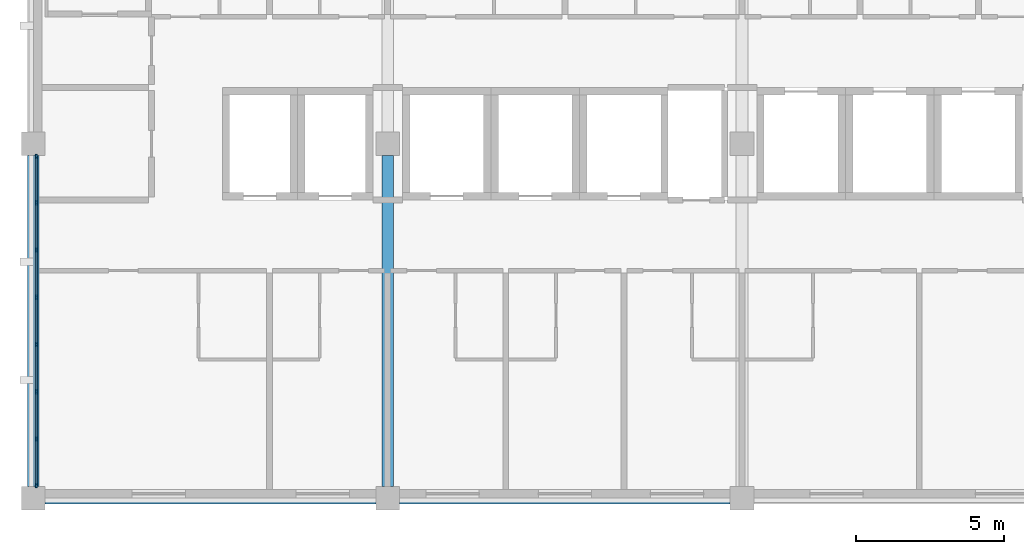
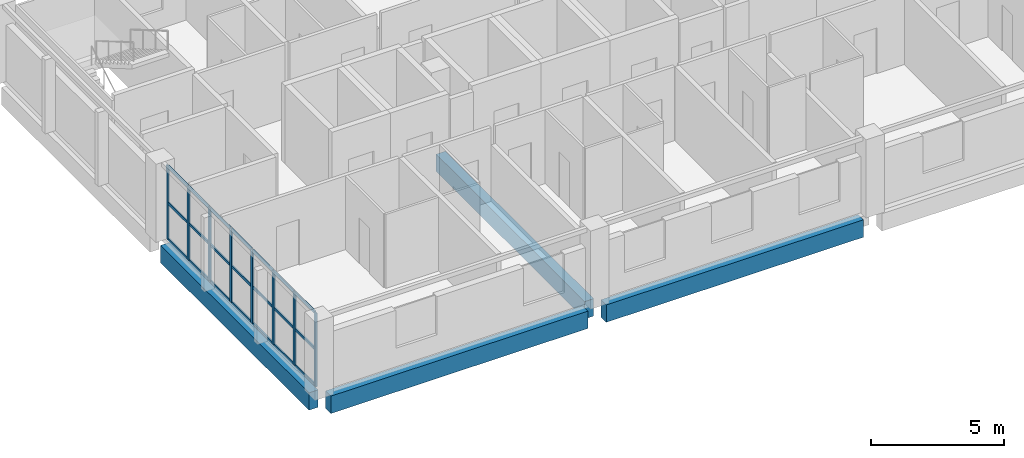
# One storey, part 2 of 11: 29 members, 4 beams, 1 element without a shape of its own.
"""IFC4 building model written with IfcOpenShell, lengths in metres."""

from ifc_helpers import new_model, si_unit, direction, frame, origin, origin_2d, place, context, subcontext, project, spatial, rectangle, extrude, material, layer, layer_set, material_profile, profile_set, type_object, element, aggregate, save


model = new_model("IFC4")

# Units and contexts
model_context = context("Model", 3, precision=1e-05, world=origin(), true_north=direction((0.0, 1.0)))
body_context = subcontext(model_context, "Body", "Model", "MODEL_VIEW")
ifc_project = project(units=[si_unit("LENGTHUNIT", "METRE"), si_unit("AREAUNIT", "SQUARE_METRE"), si_unit("VOLUMEUNIT", "CUBIC_METRE"), si_unit("PLANEANGLEUNIT", "RADIAN"), si_unit("MASSUNIT", "GRAM", prefix="KILO")], contexts=[model_context])

# Site, building, storey
site_placement = place(None, origin())
site = spatial("IfcSite", under=ifc_project, at=site_placement, CompositionType="ELEMENT")
building_placement = place(site_placement, origin())
building = spatial("IfcBuilding", under=site, at=building_placement, Name="Lilac Gate Convention Centre", CompositionType="ELEMENT")
storey_placement = place(building_placement, frame((0.0, 0.0, 42.60009765625)))
storey = spatial("IfcBuildingStorey", under=building, at=storey_placement, Name="L10", CompositionType="ELEMENT", Elevation=42.60009765625)

# Curtain wall, members
ifc_material_1 = material(Name="Aluminium framed double glazing", Category="aluminium")
ifc_layer = layer(ifc_material_1, 0.199951171875)
ifc_layer_set = layer_set([ifc_layer], Name="Aluminium framed double glazing")
curtain_wall_type = type_object("IfcCurtainWallType", Name="Unitised curtain wall 1500", PredefinedType="NOTDEFINED", material=ifc_layer_set)
curtain_wall_placement = place(storey_placement, origin())
curtain_wall = element("IfcCurtainWall", 1, at=curtain_wall_placement, inside=storey, type_object=curtain_wall_type, Name="Curtain wall W L10 2", PredefinedType="NOTDEFINED")
ifc_material_2 = material(Name="Aluminium alloy 6063", Category="aluminium")
ifc_material_profile_1 = material_profile(ifc_material_2, rectangle(XDim=0.06005859375, YDim=0.159912109375, at=origin_2d()), Name="Curtain wall mullion 60 x 160")
ifc_profile_set_1 = profile_set([ifc_material_profile_1], Name="Aluminium alloy 6063")
member_type_1 = type_object("IfcMemberType", Name="Curtain wall mullion 60 x 160", PredefinedType="MULLION", material=ifc_profile_set_1)
member_1_placement = place(storey_placement, frame((42.10009765625, 233.570068359375, 0.0), z_axis=(0.0, 0.0, 1.0), x_axis=(1.0, 0.0, 0.0)))
member_1 = element("IfcMember", 2, at=member_1_placement, type_object=member_type_1, Name="CW mullion 1", PredefinedType="MULLION", context=body_context, shape_type="SweptSolid", body=[
    extrude(rectangle(XDim=0.06005859375, YDim=0.159912109375, at=origin_2d()), origin(), (0.0, 0.0, 1.0), 3.39990234375),
])
member_2_placement = place(storey_placement, frame((42.10009765625, 232.0, 0.0), z_axis=(0.0, 0.0, 1.0), x_axis=(1.0, 0.0, 0.0)))
member_2 = element("IfcMember", 3, at=member_2_placement, type_object=member_type_1, Name="CW mullion 2", PredefinedType="MULLION", context=body_context, shape_type="SweptSolid", body=[
    extrude(rectangle(XDim=0.06005859375, YDim=0.159912109375, at=origin_2d()), origin(), (0.0, 0.0, 1.0), 3.39990234375),
])
member_3_placement = place(storey_placement, frame((42.10009765625, 230.400146484375, 0.0), z_axis=(0.0, 0.0, 1.0), x_axis=(1.0, 0.0, 0.0)))
member_3 = element("IfcMember", 4, at=member_3_placement, type_object=member_type_1, Name="CW mullion 3", PredefinedType="MULLION", context=body_context, shape_type="SweptSolid", body=[
    extrude(rectangle(XDim=0.06005859375, YDim=0.159912109375, at=origin_2d()), origin(), (0.0, 0.0, 1.0), 3.39990234375),
])
member_4_placement = place(storey_placement, frame((42.10009765625, 228.800048828125, 0.0), z_axis=(0.0, 0.0, 1.0), x_axis=(1.0, 0.0, 0.0)))
member_4 = element("IfcMember", 5, at=member_4_placement, type_object=member_type_1, Name="CW mullion 4", PredefinedType="MULLION", context=body_context, shape_type="SweptSolid", body=[
    extrude(rectangle(XDim=0.06005859375, YDim=0.159912109375, at=origin_2d()), origin(), (0.0, 0.0, 1.0), 3.39990234375),
])
member_5_placement = place(storey_placement, frame((42.10009765625, 227.199951171875, 0.0), z_axis=(0.0, 0.0, 1.0), x_axis=(1.0, 0.0, 0.0)))
member_5 = element("IfcMember", 6, at=member_5_placement, type_object=member_type_1, Name="CW mullion 5", PredefinedType="MULLION", context=body_context, shape_type="SweptSolid", body=[
    extrude(rectangle(XDim=0.06005859375, YDim=0.159912109375, at=origin_2d()), origin(), (0.0, 0.0, 1.0), 3.39990234375),
])
member_6_placement = place(storey_placement, frame((42.10009765625, 225.599853515625, 0.0), z_axis=(0.0, 0.0, 1.0), x_axis=(1.0, 0.0, 0.0)))
member_6 = element("IfcMember", 7, at=member_6_placement, type_object=member_type_1, Name="CW mullion 6", PredefinedType="MULLION", context=body_context, shape_type="SweptSolid", body=[
    extrude(rectangle(XDim=0.06005859375, YDim=0.159912109375, at=origin_2d()), origin(), (0.0, 0.0, 1.0), 3.39990234375),
])
member_7_placement = place(storey_placement, frame((42.10009765625, 224.0, 0.0), z_axis=(0.0, 0.0, 1.0), x_axis=(1.0, 0.0, 0.0)))
member_7 = element("IfcMember", 8, at=member_7_placement, type_object=member_type_1, Name="CW mullion 7", PredefinedType="MULLION", context=body_context, shape_type="SweptSolid", body=[
    extrude(rectangle(XDim=0.06005859375, YDim=0.159912109375, at=origin_2d()), origin(), (0.0, 0.0, 1.0), 3.39990234375),
])
member_8_placement = place(storey_placement, frame((42.10009765625, 222.429931640625, 0.0), z_axis=(0.0, 0.0, 1.0), x_axis=(1.0, 0.0, 0.0)))
member_8 = element("IfcMember", 9, at=member_8_placement, type_object=member_type_1, Name="CW mullion 8", PredefinedType="MULLION", context=body_context, shape_type="SweptSolid", body=[
    extrude(rectangle(XDim=0.06005859375, YDim=0.159912109375, at=origin_2d()), origin(), (0.0, 0.0, 1.0), 3.39990234375),
])
ifc_material_profile_2 = material_profile(ifc_material_2, rectangle(XDim=0.06005859375, YDim=0.1201171875, at=origin_2d()), Name="Curtain wall transom 60 x 120")
ifc_profile_set_2 = profile_set([ifc_material_profile_2], Name="Aluminium alloy 6063")
member_type_2 = type_object("IfcMemberType", Name="Curtain wall transom 60 x 120", PredefinedType="USERDEFINED", material=ifc_profile_set_2)
member_9_placement = place(storey_placement, frame((42.10009765625, 233.5400390625, 0.030029296875), z_axis=(0.0, -1.0, 0.0), x_axis=(1.0, 0.0, 0.0)))
member_9 = element("IfcMember", 10, at=member_9_placement, type_object=member_type_2, Name="CW transom 1.1", ObjectType="TRANSOM", PredefinedType="USERDEFINED", context=body_context, shape_type="SweptSolid", body=[
    extrude(rectangle(XDim=0.06005859375, YDim=0.1201171875, at=origin_2d()), origin(), (0.0, 0.0, 1.0), 1.510009765625),
])
member_10_placement = place(storey_placement, frame((42.10009765625, 233.5400390625, 1.699951171875), z_axis=(0.0, -1.0, 0.0), x_axis=(1.0, 0.0, 0.0)))
member_10 = element("IfcMember", 11, at=member_10_placement, type_object=member_type_2, Name="CW transom 1.2", ObjectType="TRANSOM", PredefinedType="USERDEFINED", context=body_context, shape_type="SweptSolid", body=[
    extrude(rectangle(XDim=0.06005859375, YDim=0.1201171875, at=origin_2d()), origin(), (0.0, 0.0, 1.0), 1.510009765625),
])
member_11_placement = place(storey_placement, frame((42.10009765625, 233.5400390625, 3.369873046875), z_axis=(0.0, -1.0, 0.0), x_axis=(1.0, 0.0, 0.0)))
member_11 = element("IfcMember", 12, at=member_11_placement, type_object=member_type_2, Name="CW transom 1.3", ObjectType="TRANSOM", PredefinedType="USERDEFINED", context=body_context, shape_type="SweptSolid", body=[
    extrude(rectangle(XDim=0.06005859375, YDim=0.1201171875, at=origin_2d()), origin(), (0.0, 0.0, 1.0), 1.510009765625),
])
member_12_placement = place(storey_placement, frame((42.10009765625, 231.969970703125, 0.030029296875), z_axis=(0.0, -1.0, 0.0), x_axis=(1.0, 0.0, 0.0)))
member_12 = element("IfcMember", 13, at=member_12_placement, type_object=member_type_2, Name="CW transom 2.1", ObjectType="TRANSOM", PredefinedType="USERDEFINED", context=body_context, shape_type="SweptSolid", body=[
    extrude(rectangle(XDim=0.06005859375, YDim=0.1201171875, at=origin_2d()), origin(), (0.0, 0.0, 1.0), 1.5400390625),
])
member_13_placement = place(storey_placement, frame((42.10009765625, 231.969970703125, 1.699951171875), z_axis=(0.0, -1.0, 0.0), x_axis=(1.0, 0.0, 0.0)))
member_13 = element("IfcMember", 14, at=member_13_placement, type_object=member_type_2, Name="CW transom 2.2", ObjectType="TRANSOM", PredefinedType="USERDEFINED", context=body_context, shape_type="SweptSolid", body=[
    extrude(rectangle(XDim=0.06005859375, YDim=0.1201171875, at=origin_2d()), origin(), (0.0, 0.0, 1.0), 1.5400390625),
])
member_14_placement = place(storey_placement, frame((42.10009765625, 231.969970703125, 3.369873046875), z_axis=(0.0, -1.0, 0.0), x_axis=(1.0, 0.0, 0.0)))
member_14 = element("IfcMember", 15, at=member_14_placement, type_object=member_type_2, Name="CW transom 2.3", ObjectType="TRANSOM", PredefinedType="USERDEFINED", context=body_context, shape_type="SweptSolid", body=[
    extrude(rectangle(XDim=0.06005859375, YDim=0.1201171875, at=origin_2d()), origin(), (0.0, 0.0, 1.0), 1.5400390625),
])
member_15_placement = place(storey_placement, frame((42.10009765625, 230.3701171875, 0.030029296875), z_axis=(0.0, -1.0, 0.0), x_axis=(1.0, 0.0, 0.0)))
member_15 = element("IfcMember", 16, at=member_15_placement, type_object=member_type_2, Name="CW transom 3.1", ObjectType="TRANSOM", PredefinedType="USERDEFINED", context=body_context, shape_type="SweptSolid", body=[
    extrude(rectangle(XDim=0.06005859375, YDim=0.1201171875, at=origin_2d()), origin(), (0.0, 0.0, 1.0), 1.5400390625),
])
member_16_placement = place(storey_placement, frame((42.10009765625, 230.3701171875, 1.699951171875), z_axis=(0.0, -1.0, 0.0), x_axis=(1.0, 0.0, 0.0)))
member_16 = element("IfcMember", 17, at=member_16_placement, type_object=member_type_2, Name="CW transom 3.2", ObjectType="TRANSOM", PredefinedType="USERDEFINED", context=body_context, shape_type="SweptSolid", body=[
    extrude(rectangle(XDim=0.06005859375, YDim=0.1201171875, at=origin_2d()), origin(), (0.0, 0.0, 1.0), 1.5400390625),
])
member_17_placement = place(storey_placement, frame((42.10009765625, 230.3701171875, 3.369873046875), z_axis=(0.0, -1.0, 0.0), x_axis=(1.0, 0.0, 0.0)))
member_17 = element("IfcMember", 18, at=member_17_placement, type_object=member_type_2, Name="CW transom 3.3", ObjectType="TRANSOM", PredefinedType="USERDEFINED", context=body_context, shape_type="SweptSolid", body=[
    extrude(rectangle(XDim=0.06005859375, YDim=0.1201171875, at=origin_2d()), origin(), (0.0, 0.0, 1.0), 1.5400390625),
])
member_18_placement = place(storey_placement, frame((42.10009765625, 228.77001953125, 0.030029296875), z_axis=(0.0, -1.0, 0.0), x_axis=(1.0, 0.0, 0.0)))
member_18 = element("IfcMember", 19, at=member_18_placement, type_object=member_type_2, Name="CW transom 4.1", ObjectType="TRANSOM", PredefinedType="USERDEFINED", context=body_context, shape_type="SweptSolid", body=[
    extrude(rectangle(XDim=0.06005859375, YDim=0.1201171875, at=origin_2d()), origin(), (0.0, 0.0, 1.0), 1.5400390625),
])
member_19_placement = place(storey_placement, frame((42.10009765625, 228.77001953125, 1.699951171875), z_axis=(0.0, -1.0, 0.0), x_axis=(1.0, 0.0, 0.0)))
member_19 = element("IfcMember", 20, at=member_19_placement, type_object=member_type_2, Name="CW transom 4.2", ObjectType="TRANSOM", PredefinedType="USERDEFINED", context=body_context, shape_type="SweptSolid", body=[
    extrude(rectangle(XDim=0.06005859375, YDim=0.1201171875, at=origin_2d()), origin(), (0.0, 0.0, 1.0), 1.5400390625),
])
member_20_placement = place(storey_placement, frame((42.10009765625, 228.77001953125, 3.369873046875), z_axis=(0.0, -1.0, 0.0), x_axis=(1.0, 0.0, 0.0)))
member_20 = element("IfcMember", 21, at=member_20_placement, type_object=member_type_2, Name="CW transom 4.3", ObjectType="TRANSOM", PredefinedType="USERDEFINED", context=body_context, shape_type="SweptSolid", body=[
    extrude(rectangle(XDim=0.06005859375, YDim=0.1201171875, at=origin_2d()), origin(), (0.0, 0.0, 1.0), 1.5400390625),
])
member_21_placement = place(storey_placement, frame((42.10009765625, 227.169921875, 0.030029296875), z_axis=(0.0, -1.0, 0.0), x_axis=(1.0, 0.0, 0.0)))
member_21 = element("IfcMember", 22, at=member_21_placement, type_object=member_type_2, Name="CW transom 5.1", ObjectType="TRANSOM", PredefinedType="USERDEFINED", context=body_context, shape_type="SweptSolid", body=[
    extrude(rectangle(XDim=0.06005859375, YDim=0.1201171875, at=origin_2d()), origin(), (0.0, 0.0, 1.0), 1.5400390625),
])
member_22_placement = place(storey_placement, frame((42.10009765625, 227.169921875, 1.699951171875), z_axis=(0.0, -1.0, 0.0), x_axis=(1.0, 0.0, 0.0)))
member_22 = element("IfcMember", 23, at=member_22_placement, type_object=member_type_2, Name="CW transom 5.2", ObjectType="TRANSOM", PredefinedType="USERDEFINED", context=body_context, shape_type="SweptSolid", body=[
    extrude(rectangle(XDim=0.06005859375, YDim=0.1201171875, at=origin_2d()), origin(), (0.0, 0.0, 1.0), 1.5400390625),
])
member_23_placement = place(storey_placement, frame((42.10009765625, 227.169921875, 3.369873046875), z_axis=(0.0, -1.0, 0.0), x_axis=(1.0, 0.0, 0.0)))
member_23 = element("IfcMember", 24, at=member_23_placement, type_object=member_type_2, Name="CW transom 5.3", ObjectType="TRANSOM", PredefinedType="USERDEFINED", context=body_context, shape_type="SweptSolid", body=[
    extrude(rectangle(XDim=0.06005859375, YDim=0.1201171875, at=origin_2d()), origin(), (0.0, 0.0, 1.0), 1.5400390625),
])
member_24_placement = place(storey_placement, frame((42.10009765625, 225.570068359375, 0.030029296875), z_axis=(0.0, -1.0, 0.0), x_axis=(1.0, 0.0, 0.0)))
member_24 = element("IfcMember", 25, at=member_24_placement, type_object=member_type_2, Name="CW transom 6.1", ObjectType="TRANSOM", PredefinedType="USERDEFINED", context=body_context, shape_type="SweptSolid", body=[
    extrude(rectangle(XDim=0.06005859375, YDim=0.1201171875, at=origin_2d()), origin(), (0.0, 0.0, 1.0), 1.5400390625),
])
member_25_placement = place(storey_placement, frame((42.10009765625, 225.570068359375, 1.699951171875), z_axis=(0.0, -1.0, 0.0), x_axis=(1.0, 0.0, 0.0)))
member_25 = element("IfcMember", 26, at=member_25_placement, type_object=member_type_2, Name="CW transom 6.2", ObjectType="TRANSOM", PredefinedType="USERDEFINED", context=body_context, shape_type="SweptSolid", body=[
    extrude(rectangle(XDim=0.06005859375, YDim=0.1201171875, at=origin_2d()), origin(), (0.0, 0.0, 1.0), 1.5400390625),
])
member_26_placement = place(storey_placement, frame((42.10009765625, 225.570068359375, 3.369873046875), z_axis=(0.0, -1.0, 0.0), x_axis=(1.0, 0.0, 0.0)))
member_26 = element("IfcMember", 27, at=member_26_placement, type_object=member_type_2, Name="CW transom 6.3", ObjectType="TRANSOM", PredefinedType="USERDEFINED", context=body_context, shape_type="SweptSolid", body=[
    extrude(rectangle(XDim=0.06005859375, YDim=0.1201171875, at=origin_2d()), origin(), (0.0, 0.0, 1.0), 1.5400390625),
])
member_27_placement = place(storey_placement, frame((42.10009765625, 223.969970703125, 0.030029296875), z_axis=(0.0, -1.0, 0.0), x_axis=(1.0, 0.0, 0.0)))
member_27 = element("IfcMember", 28, at=member_27_placement, type_object=member_type_2, Name="CW transom 7.1", ObjectType="TRANSOM", PredefinedType="USERDEFINED", context=body_context, shape_type="SweptSolid", body=[
    extrude(rectangle(XDim=0.06005859375, YDim=0.1201171875, at=origin_2d()), origin(), (0.0, 0.0, 1.0), 1.510009765625),
])
member_28_placement = place(storey_placement, frame((42.10009765625, 223.969970703125, 1.699951171875), z_axis=(0.0, -1.0, 0.0), x_axis=(1.0, 0.0, 0.0)))
member_28 = element("IfcMember", 29, at=member_28_placement, type_object=member_type_2, Name="CW transom 7.2", ObjectType="TRANSOM", PredefinedType="USERDEFINED", context=body_context, shape_type="SweptSolid", body=[
    extrude(rectangle(XDim=0.06005859375, YDim=0.1201171875, at=origin_2d()), origin(), (0.0, 0.0, 1.0), 1.510009765625),
])
member_29_placement = place(storey_placement, frame((42.10009765625, 223.969970703125, 3.369873046875), z_axis=(0.0, -1.0, 0.0), x_axis=(1.0, 0.0, 0.0)))
member_29 = element("IfcMember", 30, at=member_29_placement, type_object=member_type_2, Name="CW transom 7.3", ObjectType="TRANSOM", PredefinedType="USERDEFINED", context=body_context, shape_type="SweptSolid", body=[
    extrude(rectangle(XDim=0.06005859375, YDim=0.1201171875, at=origin_2d()), origin(), (0.0, 0.0, 1.0), 1.510009765625),
])
aggregate(curtain_wall, [member_1, member_2, member_3, member_4, member_5, member_6, member_7, member_8, member_9, member_10, member_11, member_12, member_13, member_14, member_15, member_16, member_17, member_18, member_19, member_20, member_21, member_22, member_23, member_24, member_25, member_26, member_27, member_28, member_29])

# Beams
ifc_material_3 = material(Name="Concrete C40", Category="concrete")
ifc_material_profile_3 = material_profile(ifc_material_3, rectangle(XDim=0.39990234375, YDim=0.800048828125, at=origin_2d()), Name="RC 400x800")
ifc_profile_set_3 = profile_set([ifc_material_profile_3], Name="Concrete C40")
beam_type = type_object("IfcBeamType", Name="Tower primary beam 400x800 C40", PredefinedType="BEAM", material=ifc_profile_set_3)
for number, where, z_axis, x_axis, name in (
    (31, (42.39990234375, 222.0, -0.60009765625), (1.0, 0.0, 0.0), (0.0, 1.0, 0.0), "RB3 L10 4/S-5/S"),
    (32, (54.39990234375, 222.0, -0.60009765625), (1.0, 0.0, 0.0), (0.0, 1.0, 0.0), "RB3 L10 5/S-6/S"),
    (33, (42.0, 222.39990234375, -0.60009765625), (0.0, 1.0, 0.0), (-1.0, 0.0, 0.0), "RB3 L10 4/S-4/T"),
    (34, (54.0, 222.39990234375, -0.60009765625), (0.0, 1.0, 0.0), (-1.0, 0.0, 0.0), "RB3 L10 5/S-5/T"),
):
    element("IfcBeam", number, at=place(storey_placement, frame(where, z_axis=z_axis, x_axis=x_axis)), inside=storey, type_object=beam_type, Name=name, PredefinedType="BEAM", context=body_context, shape_type="SweptSolid", body=[
        extrude(rectangle(XDim=0.39990234375, YDim=0.800048828125, at=origin_2d()), origin(), (0.0, 0.0, 1.0), 11.2001953125),
    ])

save(model, "model.ifc")
